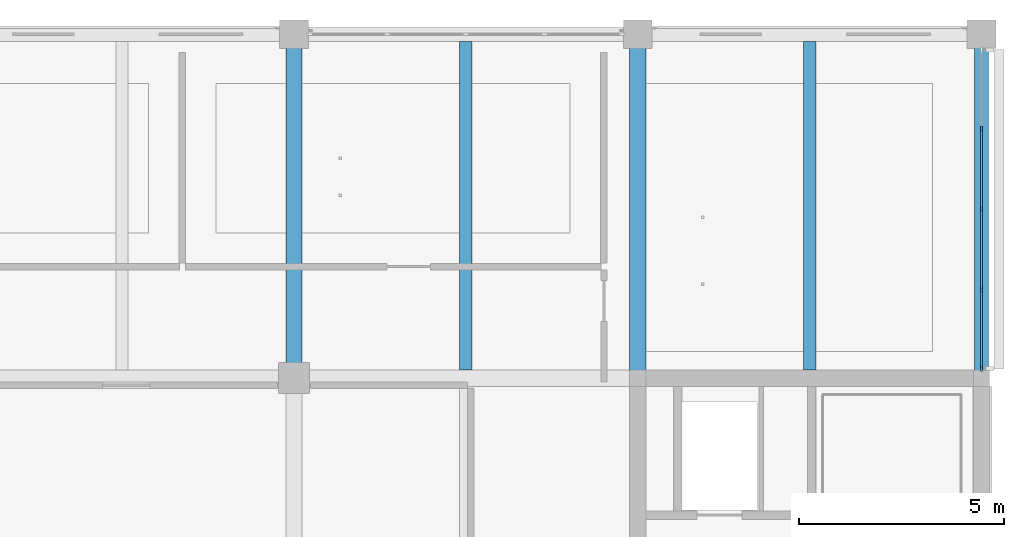
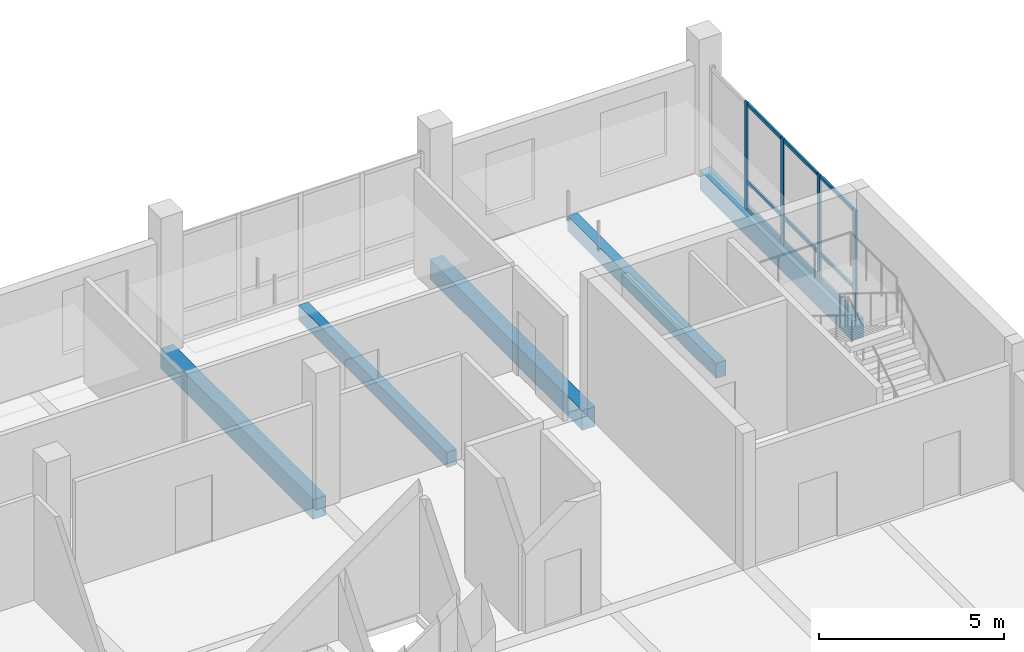
# One storey, part 7 of 32: 13 members, 5 beams, 1 element without a shape of its own.
"""IFC4 building model written with IfcOpenShell, lengths in metres."""

from ifc_helpers import new_model, si_unit, direction, frame, origin, origin_2d, place, context, subcontext, project, spatial, rectangle, extrude, material, layer, layer_set, material_profile, profile_set, type_object, element, aggregate, save


model = new_model("IFC4")

# Units and contexts
model_context = context("Model", 3, precision=1e-05, world=origin(), true_north=direction((0.0, 1.0)))
body_context = subcontext(model_context, "Body", "Model", "MODEL_VIEW")
ifc_project = project(units=[si_unit("LENGTHUNIT", "METRE"), si_unit("AREAUNIT", "SQUARE_METRE"), si_unit("VOLUMEUNIT", "CUBIC_METRE"), si_unit("PLANEANGLEUNIT", "RADIAN"), si_unit("MASSUNIT", "GRAM", prefix="KILO")], contexts=[model_context])

# Site, building, storey
site_placement = place(None, origin())
site = spatial("IfcSite", under=ifc_project, at=site_placement, CompositionType="ELEMENT")
building_placement = place(site_placement, origin())
building = spatial("IfcBuilding", under=site, at=building_placement, Name="Telukmera Botanical Conservatory", CompositionType="ELEMENT")
storey_placement = place(building_placement, frame((0.0, 0.0, 42.0)))
storey = spatial("IfcBuildingStorey", under=building, at=storey_placement, Name="L09", CompositionType="ELEMENT", Elevation=42.0)

# Beams
ifc_material_1 = material(Name="Concrete C40/50", Category="concrete")
ifc_material_profile_1 = material_profile(ifc_material_1, rectangle(XDim=0.300048828125, YDim=0.5, at=origin_2d()), Name="RC 300x500")
ifc_profile_set_1 = profile_set([ifc_material_profile_1], Name="Concrete C40/50")
beam_type_1 = type_object("IfcBeamType", Name="Beam_B24", PredefinedType="JOIST", material=ifc_profile_set_1)
for number, where, z_axis, x_axis, name in (
    (1, (88.199951171875, 34.60009765625, -0.25), (0.0, 1.0, 0.0), (-1.0, 0.0, 0.0), "Tower Secondary Floor Joist L09"),
    (2, (96.60009765625, 34.60009765625, -0.25), (0.0, 1.0, 0.0), (-1.0, 0.0, 0.0), "Tower Secondary Floor Joist L09"),
):
    element("IfcBeam", number, at=place(storey_placement, frame(where, z_axis=z_axis, x_axis=x_axis)), inside=storey, type_object=beam_type_1, Name=name, PredefinedType="JOIST", context=body_context, shape_type="SweptSolid", body=[
        extrude(rectangle(XDim=0.300048828125, YDim=0.5, at=origin_2d()), origin(), (0.0, 0.0, 1.0), 8.02490234375),
    ])
ifc_material_profile_2 = material_profile(ifc_material_1, rectangle(XDim=0.39990234375, YDim=0.64990234375, at=origin_2d()), Name="RC 400x650")
ifc_profile_set_2 = profile_set([ifc_material_profile_2], Name="Concrete C40/50")
beam_type_2 = type_object("IfcBeamType", Name="Beam_B8", PredefinedType="BEAM", material=ifc_profile_set_2)
for number, where, z_axis, x_axis, name in (
    (3, (84.0, 34.47998046875, -0.324951171875), (0.0, 1.0, 0.0), (-1.0, 0.0, 0.0), "Tower Transverse Beam L09"),
    (4, (92.39990234375, 34.47998046875, -0.324951171875), (0.0, 1.0, 0.0), (-1.0, 0.0, 0.0), "Tower Transverse Beam L09"),
):
    element("IfcBeam", number, at=place(storey_placement, frame(where, z_axis=z_axis, x_axis=x_axis)), inside=storey, type_object=beam_type_2, Name=name, PredefinedType="BEAM", context=body_context, shape_type="SweptSolid", body=[
        extrude(rectangle(XDim=0.39990234375, YDim=0.64990234375, at=origin_2d()), origin(), (0.0, 0.0, 1.0), 8.239990234375),
    ])
ifc_material_2 = material(Name="Precast concrete C40/50", Category="concrete")
ifc_material_profile_3 = material_profile(ifc_material_2, rectangle(XDim=0.35009765625, YDim=0.64990234375, at=origin_2d()), Name="PC 350x650")
ifc_profile_set_3 = profile_set([ifc_material_profile_3], Name="Precast concrete C40/50")
beam_type_3 = type_object("IfcBeamType", Name="Beam_SP3", PredefinedType="SPANDREL", material=ifc_profile_set_3)
beam_placement = place(storey_placement, frame((100.800048828125, 34.47998046875, -0.324951171875), z_axis=(0.0, 1.0, 0.0), x_axis=(-1.0, 0.0, 0.0)))
element("IfcBeam", 5, at=beam_placement, inside=storey, type_object=beam_type_3, Name="Tower Transverse Beam L09", PredefinedType="SPANDREL", context=body_context, shape_type="SweptSolid", body=[
    extrude(rectangle(XDim=0.35009765625, YDim=0.64990234375, at=origin_2d()), origin(), (0.0, 0.0, 1.0), 8.239990234375),
])

# Curtain wall, members
ifc_material_3 = material(Name="Anodised aluminium 6063-T6", Category="aluminium")
ifc_layer = layer(ifc_material_3, 0.179931640625)
ifc_layer_set = layer_set([ifc_layer], Name="Anodised aluminium 6063-T6")
curtain_wall_type = type_object("IfcCurtainWallType", Name="Tower Research Laboratory Unitised Curtain Wall", PredefinedType="USERDEFINED", material=ifc_layer_set)
curtain_wall_placement = place(storey_placement, origin())
curtain_wall = element("IfcCurtainWall", 6, at=curtain_wall_placement, inside=storey, type_object=curtain_wall_type, Name="Unitised Curtain Wall CW15 V4:L09:E4", ObjectType="UNITISED CURTAIN WALL", PredefinedType="USERDEFINED")
ifc_material_profile_4 = material_profile(ifc_material_3, rectangle(XDim=0.06005859375, YDim=0.139892578125, at=origin_2d()), Name="ALU MULL 60x140")
ifc_profile_set_4 = profile_set([ifc_material_profile_4], Name="Anodised aluminium 6063-T6")
member_type_1 = type_object("IfcMemberType", Name="Curtain Wall Extruded Mullion 60x140", PredefinedType="MULLION", material=ifc_profile_set_4)
member_1_placement = place(storey_placement, frame((100.800048828125, 34.632080078125, 0.0), z_axis=(0.0, 0.0, 1.0), x_axis=(-1.0, 0.0, 0.0)))
member_1 = element("IfcMember", 7, at=member_1_placement, type_object=member_type_1, Name="CW15 mullion 1", PredefinedType="MULLION", context=body_context, shape_type="SweptSolid", body=[
    extrude(rectangle(XDim=0.06005859375, YDim=0.139892578125, at=origin_2d()), origin(), (0.0, 0.0, 1.0), 3.550048828125),
])
member_2_placement = place(storey_placement, frame((100.800048828125, 36.5634765625, 0.0), z_axis=(0.0, 0.0, 1.0), x_axis=(-1.0, 0.0, 0.0)))
member_2 = element("IfcMember", 8, at=member_2_placement, type_object=member_type_1, Name="CW15 mullion 2", PredefinedType="MULLION", context=body_context, shape_type="SweptSolid", body=[
    extrude(rectangle(XDim=0.06005859375, YDim=0.139892578125, at=origin_2d()), origin(), (0.0, 0.0, 1.0), 3.550048828125),
])
member_3_placement = place(storey_placement, frame((100.800048828125, 38.52490234375, 0.0), z_axis=(0.0, 0.0, 1.0), x_axis=(-1.0, 0.0, 0.0)))
member_3 = element("IfcMember", 9, at=member_3_placement, type_object=member_type_1, Name="CW15 mullion 3", PredefinedType="MULLION", context=body_context, shape_type="SweptSolid", body=[
    extrude(rectangle(XDim=0.06005859375, YDim=0.139892578125, at=origin_2d()), origin(), (0.0, 0.0, 1.0), 3.550048828125),
])
member_4_placement = place(storey_placement, frame((100.800048828125, 40.486572265625, 0.0), z_axis=(0.0, 0.0, 1.0), x_axis=(-1.0, 0.0, 0.0)))
member_4 = element("IfcMember", 10, at=member_4_placement, type_object=member_type_1, Name="CW15 mullion 4", PredefinedType="MULLION", context=body_context, shape_type="SweptSolid", body=[
    extrude(rectangle(XDim=0.06005859375, YDim=0.139892578125, at=origin_2d()), origin(), (0.0, 0.0, 1.0), 3.550048828125),
])
ifc_material_profile_5 = material_profile(ifc_material_3, rectangle(XDim=0.06005859375, YDim=0.110107421875, at=origin_2d()), Name="ALU TRAN 60x110")
ifc_profile_set_5 = profile_set([ifc_material_profile_5], Name="Anodised aluminium 6063-T6")
member_type_2 = type_object("IfcMemberType", Name="Curtain Wall Extruded Transom 60x110", PredefinedType="USERDEFINED", material=ifc_profile_set_5)
member_5_placement = place(storey_placement, frame((100.800048828125, 34.662109375, 0.054931640625), z_axis=(0.0, 1.0, 0.0), x_axis=(-1.0, 0.0, 0.0)))
member_5 = element("IfcMember", 11, at=member_5_placement, type_object=member_type_2, Name="CW15 transom 1.1", ObjectType="TRANSOM", PredefinedType="USERDEFINED", context=body_context, shape_type="SweptSolid", body=[
    extrude(rectangle(XDim=0.06005859375, YDim=0.110107421875, at=origin_2d()), origin(), (0.0, 0.0, 1.0), 1.871337890625),
])
member_6_placement = place(storey_placement, frame((100.800048828125, 34.662109375, 0.949951171875), z_axis=(0.0, 1.0, 0.0), x_axis=(-1.0, 0.0, 0.0)))
member_6 = element("IfcMember", 12, at=member_6_placement, type_object=member_type_2, Name="CW15 transom 1.2", ObjectType="TRANSOM", PredefinedType="USERDEFINED", context=body_context, shape_type="SweptSolid", body=[
    extrude(rectangle(XDim=0.06005859375, YDim=0.110107421875, at=origin_2d()), origin(), (0.0, 0.0, 1.0), 1.871337890625),
])
member_7_placement = place(storey_placement, frame((100.800048828125, 34.662109375, 3.4951171875), z_axis=(0.0, 1.0, 0.0), x_axis=(-1.0, 0.0, 0.0)))
member_7 = element("IfcMember", 13, at=member_7_placement, type_object=member_type_2, Name="CW15 transom 1.3", ObjectType="TRANSOM", PredefinedType="USERDEFINED", context=body_context, shape_type="SweptSolid", body=[
    extrude(rectangle(XDim=0.06005859375, YDim=0.110107421875, at=origin_2d()), origin(), (0.0, 0.0, 1.0), 1.871337890625),
])
member_8_placement = place(storey_placement, frame((100.800048828125, 36.593505859375, 0.054931640625), z_axis=(0.0, 1.0, 0.0), x_axis=(-1.0, 0.0, 0.0)))
member_8 = element("IfcMember", 14, at=member_8_placement, type_object=member_type_2, Name="CW15 transom 2.1", ObjectType="TRANSOM", PredefinedType="USERDEFINED", context=body_context, shape_type="SweptSolid", body=[
    extrude(rectangle(XDim=0.06005859375, YDim=0.110107421875, at=origin_2d()), origin(), (0.0, 0.0, 1.0), 1.901611328125),
])
member_9_placement = place(storey_placement, frame((100.800048828125, 36.593505859375, 0.949951171875), z_axis=(0.0, 1.0, 0.0), x_axis=(-1.0, 0.0, 0.0)))
member_9 = element("IfcMember", 15, at=member_9_placement, type_object=member_type_2, Name="CW15 transom 2.2", ObjectType="TRANSOM", PredefinedType="USERDEFINED", context=body_context, shape_type="SweptSolid", body=[
    extrude(rectangle(XDim=0.06005859375, YDim=0.110107421875, at=origin_2d()), origin(), (0.0, 0.0, 1.0), 1.901611328125),
])
member_10_placement = place(storey_placement, frame((100.800048828125, 36.593505859375, 3.4951171875), z_axis=(0.0, 1.0, 0.0), x_axis=(-1.0, 0.0, 0.0)))
member_10 = element("IfcMember", 16, at=member_10_placement, type_object=member_type_2, Name="CW15 transom 2.3", ObjectType="TRANSOM", PredefinedType="USERDEFINED", context=body_context, shape_type="SweptSolid", body=[
    extrude(rectangle(XDim=0.06005859375, YDim=0.110107421875, at=origin_2d()), origin(), (0.0, 0.0, 1.0), 1.901611328125),
])
member_11_placement = place(storey_placement, frame((100.800048828125, 38.554931640625, 0.054931640625), z_axis=(0.0, 1.0, 0.0), x_axis=(-1.0, 0.0, 0.0)))
member_11 = element("IfcMember", 17, at=member_11_placement, type_object=member_type_2, Name="CW15 transom 3.1", ObjectType="TRANSOM", PredefinedType="USERDEFINED", context=body_context, shape_type="SweptSolid", body=[
    extrude(rectangle(XDim=0.06005859375, YDim=0.110107421875, at=origin_2d()), origin(), (0.0, 0.0, 1.0), 1.901611328125),
])
member_12_placement = place(storey_placement, frame((100.800048828125, 38.554931640625, 0.949951171875), z_axis=(0.0, 1.0, 0.0), x_axis=(-1.0, 0.0, 0.0)))
member_12 = element("IfcMember", 18, at=member_12_placement, type_object=member_type_2, Name="CW15 transom 3.2", ObjectType="TRANSOM", PredefinedType="USERDEFINED", context=body_context, shape_type="SweptSolid", body=[
    extrude(rectangle(XDim=0.06005859375, YDim=0.110107421875, at=origin_2d()), origin(), (0.0, 0.0, 1.0), 1.901611328125),
])
member_13_placement = place(storey_placement, frame((100.800048828125, 38.554931640625, 3.4951171875), z_axis=(0.0, 1.0, 0.0), x_axis=(-1.0, 0.0, 0.0)))
member_13 = element("IfcMember", 19, at=member_13_placement, type_object=member_type_2, Name="CW15 transom 3.3", ObjectType="TRANSOM", PredefinedType="USERDEFINED", context=body_context, shape_type="SweptSolid", body=[
    extrude(rectangle(XDim=0.06005859375, YDim=0.110107421875, at=origin_2d()), origin(), (0.0, 0.0, 1.0), 1.901611328125),
])
aggregate(curtain_wall, [member_1, member_2, member_3, member_4, member_5, member_6, member_7, member_8, member_9, member_10, member_11, member_12, member_13])

save(model, "model.ifc")
